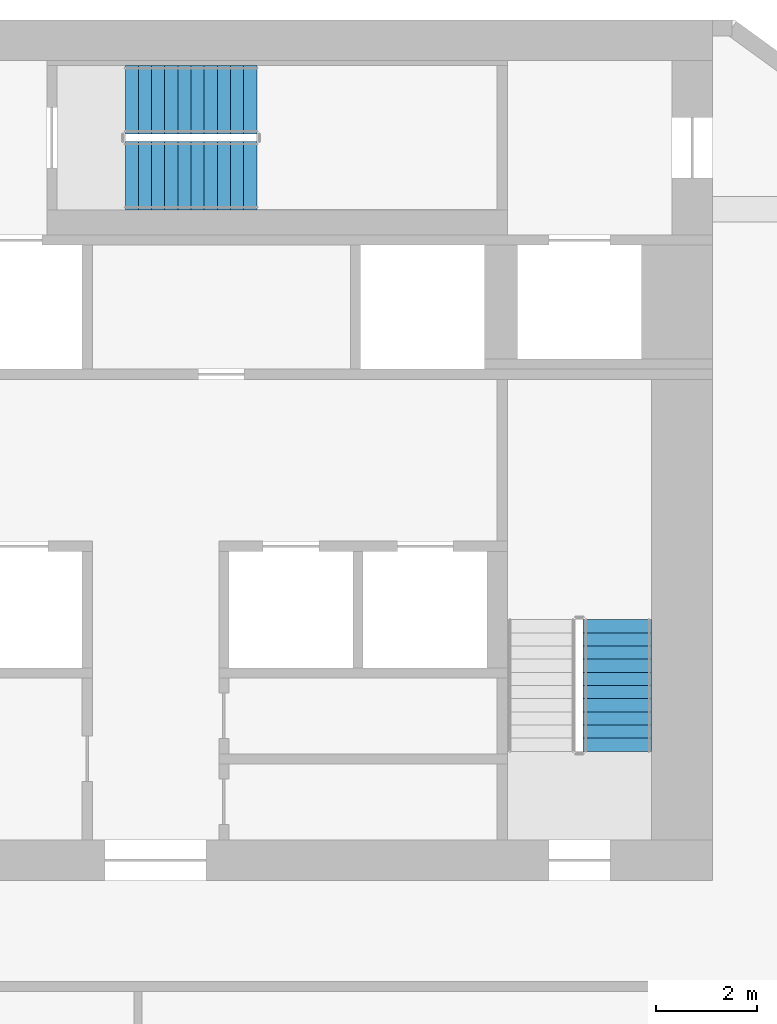
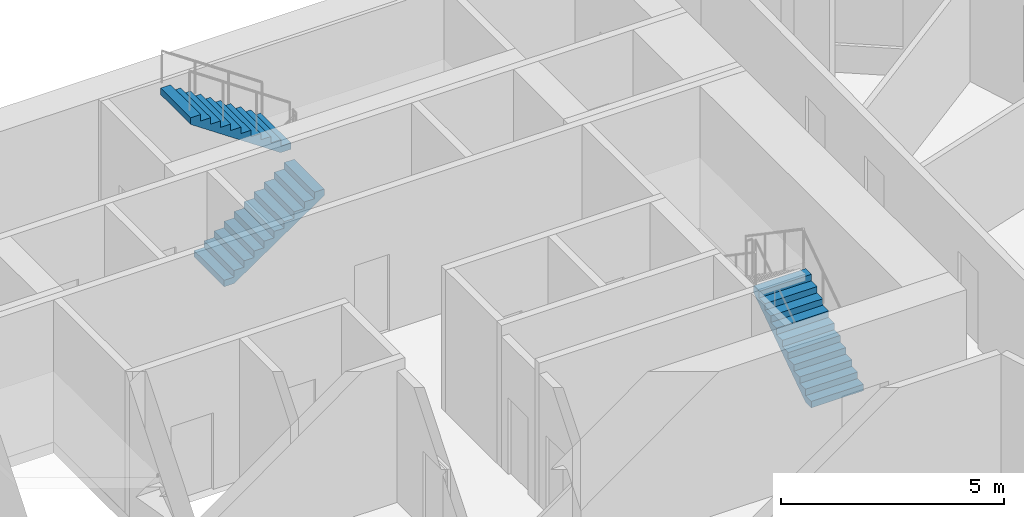
# One storey, part 7 of 9: 3 stair flights, 2 elements without a shape of their own.
"""IFC4 building model written with IfcOpenShell, lengths in metres."""

from ifc_helpers import new_model, si_unit, direction, frame, origin, place, context, subcontext, project, spatial, polyline, outline, extrude, material, layer, layer_set, type_object, element, aggregate, save


model = new_model("IFC4")

# Units and contexts
model_context = context("Model", 3, precision=1e-05, world=origin(), true_north=direction((0.0, 1.0)))
body_context = subcontext(model_context, "Body", "Model", "MODEL_VIEW")
ifc_project = project(units=[si_unit("LENGTHUNIT", "METRE"), si_unit("AREAUNIT", "SQUARE_METRE"), si_unit("VOLUMEUNIT", "CUBIC_METRE"), si_unit("PLANEANGLEUNIT", "RADIAN"), si_unit("MASSUNIT", "GRAM", prefix="KILO")], contexts=[model_context])

# Site, building, storey
site_placement = place(None, origin())
site = spatial("IfcSite", under=ifc_project, at=site_placement, CompositionType="ELEMENT")
building_placement = place(site_placement, origin())
building = spatial("IfcBuilding", under=site, at=building_placement, Name="White Candle Pilgrim Tower", CompositionType="ELEMENT")
storey_placement = place(building_placement, frame((0.0, 0.0, 227.699951171875)))
storey = spatial("IfcBuildingStorey", under=building, at=storey_placement, Name="L53", CompositionType="ELEMENT", Elevation=227.699951171875)

# Stair, stair flight
ifc_material = material(Name="Concrete C40/50", Category="concrete")
stair_type_1 = type_object("IfcStairType", Name="Exit stair 2 flight width 1350 mm", PredefinedType="HALF_TURN_STAIR", material=ifc_material)
stair_1_placement = place(storey_placement, origin())
stair_1 = element("IfcStair", 1, at=stair_1_placement, inside=storey, type_object=stair_type_1, Name="L53 stair 2", PredefinedType="NOTDEFINED")
ifc_layer = layer(ifc_material, 0.14990234375)
ifc_layer_set = layer_set([ifc_layer], Name="Stair flight Concrete C40/50")
stair_flight_type = type_object("IfcStairFlightType", Name="Stair flight Concrete C40/50", PredefinedType="STRAIGHT", material=ifc_layer_set)
stair_flight_1_placement = place(storey_placement, frame((79.125, 73.550048828125, 0.0), z_axis=(0.0, 0.0, 1.0), x_axis=(0.0, 1.0, 0.0)))
stair_flight_1 = element("IfcStairFlight", 2, at=stair_flight_1_placement, type_object=stair_flight_type, Name="ST2 flight 1", NumberOfRisers=11, NumberOfTreads=10, PredefinedType="NOTDEFINED", RiserHeight=0.177272727, TreadLength=0.26, context=body_context, shape_type="SweptSolid", body=[
    extrude(outline(polyline([(0.0, 0.0), (0.0, 0.17724609375), (0.260009765625, 0.17724609375), (0.260009765625, 0.3544921875), (0.52001953125, 0.3544921875), (0.52001953125, 0.53173828125), (0.780029296875, 0.53173828125), (0.780029296875, 0.708984375), (1.0400390625, 0.708984375), (1.0400390625, 0.886474609375), (1.300048828125, 0.886474609375), (1.300048828125, 1.063720703125), (1.56005859375, 1.063720703125), (1.56005859375, 1.240966796875), (1.820068359375, 1.240966796875), (1.820068359375, 1.418212890625), (2.080078125, 1.418212890625), (2.080078125, 1.595458984375), (2.340087890625, 1.595458984375), (2.340087890625, 1.772705078125), (2.60009765625, 1.772705078125), (2.60009765625, 1.949951171875), (2.60009765625, 1.59130859375), (0.26611328125, 0.0), (0.0, 0.0)])), frame((0.0, 0.675048828125, 0.0), z_axis=(0.0, -1.0, 0.0), x_axis=(1.0, 0.0, 0.0)), (0.0, 0.0, 1.0), 1.35009765625),
])
aggregate(stair_1, [stair_flight_1])

# Stair, stair flights
stair_type_2 = type_object("IfcStairType", Name="Exit stair 3 flight width 1350 mm", PredefinedType="HALF_TURN_STAIR", material=ifc_material)
stair_2_placement = place(storey_placement, origin())
stair_2 = element("IfcStair", 3, at=stair_2_placement, inside=storey, type_object=stair_type_2, Name="L53 stair 3", PredefinedType="NOTDEFINED")
stair_flight_2_placement = place(storey_placement, frame((69.39990234375, 84.925048828125, 0.0), z_axis=(0.0, 0.0, 1.0), x_axis=(1.0, 0.0, 0.0)))
stair_flight_2 = element("IfcStairFlight", 4, at=stair_flight_2_placement, type_object=stair_flight_type, Name="ST3 flight 1", NumberOfRisers=11, NumberOfTreads=10, PredefinedType="NOTDEFINED", RiserHeight=0.177272727, TreadLength=0.26, context=body_context, shape_type="SweptSolid", body=[
    extrude(outline(polyline([(0.0, 0.0), (0.0, 0.17724609375), (0.260009765625, 0.17724609375), (0.260009765625, 0.3544921875), (0.52001953125, 0.3544921875), (0.52001953125, 0.53173828125), (0.780029296875, 0.53173828125), (0.780029296875, 0.708984375), (1.0400390625, 0.708984375), (1.0400390625, 0.886474609375), (1.300048828125, 0.886474609375), (1.300048828125, 1.063720703125), (1.56005859375, 1.063720703125), (1.56005859375, 1.240966796875), (1.820068359375, 1.240966796875), (1.820068359375, 1.418212890625), (2.080078125, 1.418212890625), (2.080078125, 1.595458984375), (2.340087890625, 1.595458984375), (2.340087890625, 1.772705078125), (2.60009765625, 1.772705078125), (2.60009765625, 1.949951171875), (2.60009765625, 1.59130859375), (0.26611328125, 0.0), (0.0, 0.0)])), frame((0.0, 0.675048828125, 0.0), z_axis=(0.0, -1.0, 0.0), x_axis=(1.0, 0.0, 0.0)), (0.0, 0.0, 1.0), 1.35009765625),
])
stair_flight_3_placement = place(storey_placement, frame((72.0, 86.425048828125, 1.949951171875), z_axis=(0.0, 0.0, 1.0), x_axis=(-1.0, 0.0, 0.0)))
stair_flight_3 = element("IfcStairFlight", 5, at=stair_flight_3_placement, type_object=stair_flight_type, Name="ST3 flight 2", NumberOfRisers=11, NumberOfTreads=10, PredefinedType="NOTDEFINED", RiserHeight=0.177272727, TreadLength=0.26, context=body_context, shape_type="SweptSolid", body=[
    extrude(outline(polyline([(0.0, 0.0), (0.0, 0.17724609375), (0.260009765625, 0.17724609375), (0.260009765625, 0.3544921875), (0.52001953125, 0.3544921875), (0.52001953125, 0.53173828125), (0.780029296875, 0.53173828125), (0.780029296875, 0.708984375), (1.0400390625, 0.708984375), (1.0400390625, 0.886474609375), (1.300048828125, 0.886474609375), (1.300048828125, 1.063720703125), (1.56005859375, 1.063720703125), (1.56005859375, 1.240966796875), (1.820068359375, 1.240966796875), (1.820068359375, 1.418212890625), (2.080078125, 1.418212890625), (2.080078125, 1.595458984375), (2.340087890625, 1.595458984375), (2.340087890625, 1.772705078125), (2.60009765625, 1.772705078125), (2.60009765625, 1.949951171875), (2.60009765625, 1.59130859375), (0.26611328125, 0.0), (0.0, 0.0)])), frame((0.0, 0.675048828125, 0.0), z_axis=(0.0, -1.0, 0.0), x_axis=(1.0, 0.0, 0.0)), (0.0, 0.0, 1.0), 1.35009765625),
])
aggregate(stair_2, [stair_flight_2, stair_flight_3])

save(model, "model.ifc")
